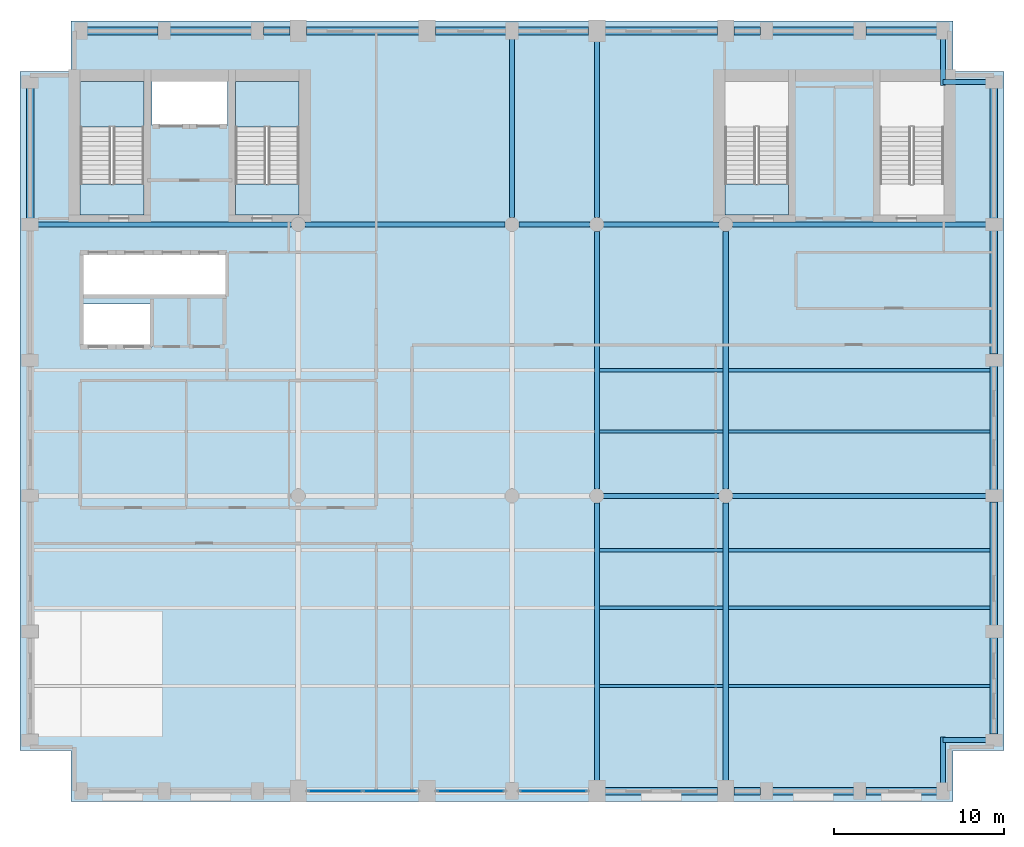
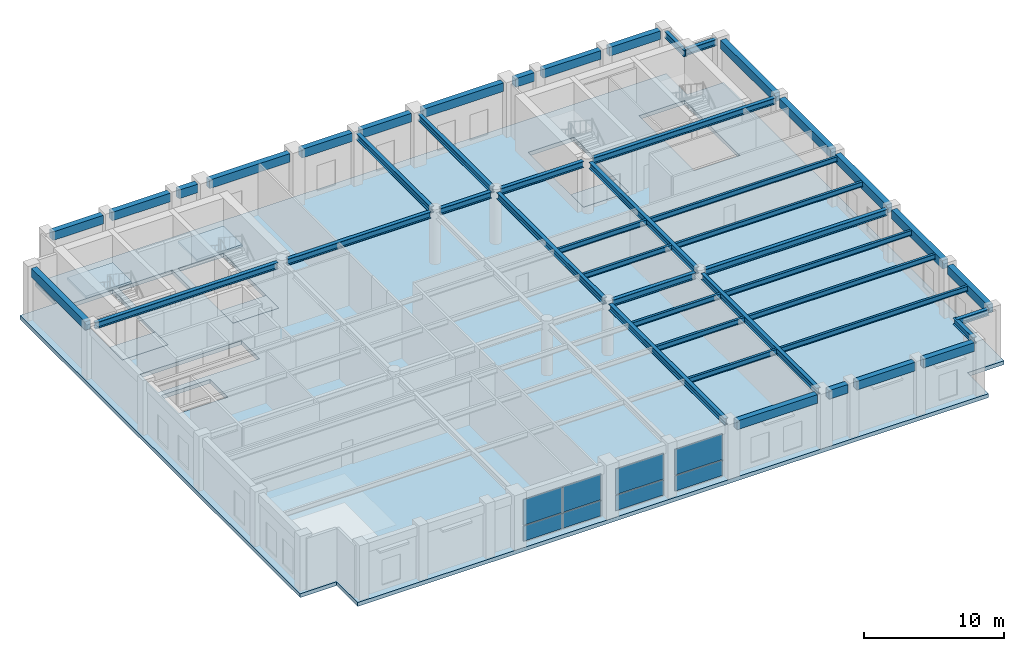
# One storey, part 3 of 10: 47 beams, 8 plates, 6 slabs, 5 elements without a shape of their own.
"""IFC4 building model written with IfcOpenShell, lengths in metres."""

from ifc_helpers import new_model, si_unit, direction, frame, origin, origin_2d, place, context, subcontext, project, spatial, polyline, rectangle, i_section, outline, extrude, material, layer, layer_set, material_profile, profile_set, type_object, element, aggregate, save


model = new_model("IFC4")

# Units and contexts
model_context = context("Model", 3, precision=1e-05, world=origin(), true_north=direction((0.0, 1.0)))
body_context = subcontext(model_context, "Body", "Model", "MODEL_VIEW")
ifc_project = project(units=[si_unit("LENGTHUNIT", "METRE"), si_unit("AREAUNIT", "SQUARE_METRE"), si_unit("VOLUMEUNIT", "CUBIC_METRE"), si_unit("PLANEANGLEUNIT", "RADIAN"), si_unit("MASSUNIT", "GRAM", prefix="KILO")], contexts=[model_context])

# Site, building, storey
site_placement = place(None, origin())
site = spatial("IfcSite", under=ifc_project, at=site_placement, CompositionType="ELEMENT")
building_placement = place(site_placement, origin())
building = spatial("IfcBuilding", under=site, at=building_placement, Name="Sulina Concourse Tower", CompositionType="ELEMENT")
storey_placement = place(building_placement, frame((0.0, 0.0, 243.800048828125)))
storey = spatial("IfcBuildingStorey", under=building, at=storey_placement, Name="L59", CompositionType="ELEMENT", Elevation=243.800048828125)

# Beams
ifc_material_1 = material(Name="Steel S355", Category="steel")
ifc_material_profile_1 = material_profile(ifc_material_1, i_section(OverallWidth=0.18994140625, OverallDepth=0.449951171875, WebThickness=0.009521484375, FlangeThickness=0.0146484375, at=origin_2d()), Name="IPE 450")
ifc_profile_set_1 = profile_set([ifc_material_profile_1], Name="Steel S355")
beam_type_1 = type_object("IfcBeamType", Name="Composite Floor Joist IPE450", PredefinedType="JOIST", material=ifc_profile_set_1)
beam_1_placement = place(storey_placement, frame((34.14990234375, 6.800048828125, 4.324951171875), z_axis=(1.0, 0.0, 0.0), x_axis=(0.0, 1.0, 0.0)))
element("IfcBeam", 1, at=beam_1_placement, inside=storey, type_object=beam_type_1, Name="FJ-J06-4-L59", PredefinedType="JOIST", context=body_context, shape_type="SweptSolid", body=[
    extrude(i_section(OverallWidth=0.18994140625, OverallDepth=0.449951171875, WebThickness=0.009521484375, FlangeThickness=0.0146484375, at=origin_2d()), origin(), (0.0, 0.0, 1.0), 7.300048828125),
])
beam_2_placement = place(storey_placement, frame((41.75, 6.800048828125, 4.324951171875), z_axis=(1.0, 0.0, 0.0), x_axis=(0.0, 1.0, 0.0)))
element("IfcBeam", 2, at=beam_2_placement, inside=storey, type_object=beam_type_1, Name="FJ-J06-5-L59", PredefinedType="JOIST", context=body_context, shape_type="SweptSolid", body=[
    extrude(i_section(OverallWidth=0.18994140625, OverallDepth=0.449951171875, WebThickness=0.009521484375, FlangeThickness=0.0146484375, at=origin_2d()), origin(), (0.0, 0.0, 1.0), 15.425048828125),
])
beam_3_placement = place(storey_placement, frame((34.14990234375, 11.39990234375, 4.324951171875), z_axis=(1.0, 0.0, 0.0), x_axis=(0.0, 1.0, 0.0)))
element("IfcBeam", 3, at=beam_3_placement, inside=storey, type_object=beam_type_1, Name="FJ-J11-4-L59", PredefinedType="JOIST", context=body_context, shape_type="SweptSolid", body=[
    extrude(i_section(OverallWidth=0.18994140625, OverallDepth=0.449951171875, WebThickness=0.009521484375, FlangeThickness=0.0146484375, at=origin_2d()), origin(), (0.0, 0.0, 1.0), 7.300048828125),
])
beam_4_placement = place(storey_placement, frame((41.75, 11.39990234375, 4.324951171875), z_axis=(1.0, 0.0, 0.0), x_axis=(0.0, 1.0, 0.0)))
element("IfcBeam", 4, at=beam_4_placement, inside=storey, type_object=beam_type_1, Name="FJ-J11-5-L59", PredefinedType="JOIST", context=body_context, shape_type="SweptSolid", body=[
    extrude(i_section(OverallWidth=0.18994140625, OverallDepth=0.449951171875, WebThickness=0.009521484375, FlangeThickness=0.0146484375, at=origin_2d()), origin(), (0.0, 0.0, 1.0), 15.425048828125),
])
beam_5_placement = place(storey_placement, frame((34.14990234375, 14.800048828125, 4.324951171875), z_axis=(1.0, 0.0, 0.0), x_axis=(0.0, 1.0, 0.0)))
element("IfcBeam", 5, at=beam_5_placement, inside=storey, type_object=beam_type_1, Name="FJ-J15-4-L59", PredefinedType="JOIST", context=body_context, shape_type="SweptSolid", body=[
    extrude(i_section(OverallWidth=0.18994140625, OverallDepth=0.449951171875, WebThickness=0.009521484375, FlangeThickness=0.0146484375, at=origin_2d()), origin(), (0.0, 0.0, 1.0), 7.300048828125),
])
beam_6_placement = place(storey_placement, frame((41.75, 14.800048828125, 4.324951171875), z_axis=(1.0, 0.0, 0.0), x_axis=(0.0, 1.0, 0.0)))
element("IfcBeam", 6, at=beam_6_placement, inside=storey, type_object=beam_type_1, Name="FJ-J15-5-L59", PredefinedType="JOIST", context=body_context, shape_type="SweptSolid", body=[
    extrude(i_section(OverallWidth=0.18994140625, OverallDepth=0.449951171875, WebThickness=0.009521484375, FlangeThickness=0.0146484375, at=origin_2d()), origin(), (0.0, 0.0, 1.0), 15.425048828125),
])
beam_7_placement = place(storey_placement, frame((34.14990234375, 21.800048828125, 4.324951171875), z_axis=(1.0, 0.0, 0.0), x_axis=(0.0, 1.0, 0.0)))
element("IfcBeam", 7, at=beam_7_placement, inside=storey, type_object=beam_type_1, Name="FJ-J22-4-L59", PredefinedType="JOIST", context=body_context, shape_type="SweptSolid", body=[
    extrude(i_section(OverallWidth=0.18994140625, OverallDepth=0.449951171875, WebThickness=0.009521484375, FlangeThickness=0.0146484375, at=origin_2d()), origin(), (0.0, 0.0, 1.0), 7.300048828125),
])
beam_8_placement = place(storey_placement, frame((41.75, 21.800048828125, 4.324951171875), z_axis=(1.0, 0.0, 0.0), x_axis=(0.0, 1.0, 0.0)))
element("IfcBeam", 8, at=beam_8_placement, inside=storey, type_object=beam_type_1, Name="FJ-J22-5-L59", PredefinedType="JOIST", context=body_context, shape_type="SweptSolid", body=[
    extrude(i_section(OverallWidth=0.18994140625, OverallDepth=0.449951171875, WebThickness=0.009521484375, FlangeThickness=0.0146484375, at=origin_2d()), origin(), (0.0, 0.0, 1.0), 15.425048828125),
])
beam_9_placement = place(storey_placement, frame((34.14990234375, 25.39990234375, 4.324951171875), z_axis=(1.0, 0.0, 0.0), x_axis=(0.0, 1.0, 0.0)))
element("IfcBeam", 9, at=beam_9_placement, inside=storey, type_object=beam_type_1, Name="FJ-J25-4-L59", PredefinedType="JOIST", context=body_context, shape_type="SweptSolid", body=[
    extrude(i_section(OverallWidth=0.18994140625, OverallDepth=0.449951171875, WebThickness=0.009521484375, FlangeThickness=0.0146484375, at=origin_2d()), origin(), (0.0, 0.0, 1.0), 7.300048828125),
])
beam_10_placement = place(storey_placement, frame((41.75, 25.39990234375, 4.324951171875), z_axis=(1.0, 0.0, 0.0), x_axis=(0.0, 1.0, 0.0)))
element("IfcBeam", 10, at=beam_10_placement, inside=storey, type_object=beam_type_1, Name="FJ-J25-5-L59", PredefinedType="JOIST", context=body_context, shape_type="SweptSolid", body=[
    extrude(i_section(OverallWidth=0.18994140625, OverallDepth=0.449951171875, WebThickness=0.009521484375, FlangeThickness=0.0146484375, at=origin_2d()), origin(), (0.0, 0.0, 1.0), 15.425048828125),
])
ifc_material_2 = material(Name="Steel S355", Category="steel")
ifc_material_profile_2 = material_profile(ifc_material_2, i_section(OverallWidth=0.300048828125, OverallDepth=0.550048828125, WebThickness=0.014892578125, FlangeThickness=0.029052734375, at=origin_2d()), Name="HE 550 B")
ifc_profile_set_2 = profile_set([ifc_material_profile_2], Name="Steel S355")
beam_type_2 = type_object("IfcBeamType", Name="Floor Primary Girder Zone 4 HE550B", PredefinedType="BEAM", material=ifc_profile_set_2)
for number, where, z_axis, x_axis, name in (
    (11, (54.39990234375, 3.60009765625, 4.27490234375), (1.0, 0.0, 0.0), (0.0, 1.0, 0.0), "TIE-SE-L59"),
    (12, (54.39990234375, 42.39990234375, 4.27490234375), (1.0, 0.0, 0.0), (0.0, 1.0, 0.0), "TIE-NE-L59"),
):
    element("IfcBeam", number, at=place(storey_placement, frame(where, z_axis=z_axis, x_axis=x_axis)), inside=storey, type_object=beam_type_2, Name=name, PredefinedType="BEAM", context=body_context, shape_type="SweptSolid", body=[
        extrude(i_section(OverallWidth=0.300048828125, OverallDepth=0.550048828125, WebThickness=0.014892578125, FlangeThickness=0.029052734375, at=origin_2d()), origin(), (0.0, 0.0, 1.0), 2.64501953125),
    ])
for number, where, z_axis, x_axis, name in (
    (13, (54.39990234375, 0.955078125, 4.27490234375), (0.0, 1.0, 0.0), (-1.0, 0.0, 0.0), "TIE-SES-L59"),
    (14, (54.39990234375, 42.199951171875, 4.27490234375), (0.0, 1.0, 0.0), (-1.0, 0.0, 0.0), "TIE-NEN-L59"),
):
    element("IfcBeam", number, at=place(storey_placement, frame(where, z_axis=z_axis, x_axis=x_axis)), inside=storey, type_object=beam_type_2, Name=name, PredefinedType="BEAM", context=body_context, shape_type="SweptSolid", body=[
        extrude(i_section(OverallWidth=0.300048828125, OverallDepth=0.550048828125, WebThickness=0.014892578125, FlangeThickness=0.029052734375, at=origin_2d()), origin(), (0.0, 0.0, 1.0), 2.844970703125),
    ])
beam_11_placement = place(storey_placement, frame((34.405029296875, 18.0, 4.27490234375), z_axis=(1.0, 0.0, 0.0), x_axis=(0.0, 1.0, 0.0)))
element("IfcBeam", 15, at=beam_11_placement, inside=storey, type_object=beam_type_2, Name="FG-EW4-L59", PredefinedType="BEAM", context=body_context, shape_type="SweptSolid", body=[
    extrude(i_section(OverallWidth=0.300048828125, OverallDepth=0.550048828125, WebThickness=0.014892578125, FlangeThickness=0.029052734375, at=origin_2d()), origin(), (0.0, 0.0, 1.0), 6.7900390625),
])
for number, where, z_axis, x_axis, name in (
    (16, (42.0048828125, 18.0, 4.27490234375), (1.0, 0.0, 0.0), (0.0, 1.0, 0.0), "FG-EW5-L59"),
    (17, (0.955078125, 34.0, 4.27490234375), (1.0, 0.0, 0.0), (0.0, 1.0, 0.0), "FG-EWN1-L59"),
):
    element("IfcBeam", number, at=place(storey_placement, frame(where, z_axis=z_axis, x_axis=x_axis)), inside=storey, type_object=beam_type_2, Name=name, PredefinedType="BEAM", context=body_context, shape_type="SweptSolid", body=[
        extrude(i_section(OverallWidth=0.300048828125, OverallDepth=0.550048828125, WebThickness=0.014892578125, FlangeThickness=0.029052734375, at=origin_2d()), origin(), (0.0, 0.0, 1.0), 15.0400390625),
    ])
beam_12_placement = place(storey_placement, frame((16.804931640625, 34.0, 4.27490234375), z_axis=(1.0, 0.0, 0.0), x_axis=(0.0, 1.0, 0.0)))
element("IfcBeam", 18, at=beam_12_placement, inside=storey, type_object=beam_type_2, Name="FG-EWN2-L59", PredefinedType="BEAM", context=body_context, shape_type="SweptSolid", body=[
    extrude(i_section(OverallWidth=0.300048828125, OverallDepth=0.550048828125, WebThickness=0.014892578125, FlangeThickness=0.029052734375, at=origin_2d()), origin(), (0.0, 0.0, 1.0), 11.7900390625),
])
beam_13_placement = place(storey_placement, frame((29.405029296875, 34.0, 4.27490234375), z_axis=(1.0, 0.0, 0.0), x_axis=(0.0, 1.0, 0.0)))
element("IfcBeam", 19, at=beam_13_placement, inside=storey, type_object=beam_type_2, Name="FG-EWN3-L59", PredefinedType="BEAM", context=body_context, shape_type="SweptSolid", body=[
    extrude(i_section(OverallWidth=0.300048828125, OverallDepth=0.550048828125, WebThickness=0.014892578125, FlangeThickness=0.029052734375, at=origin_2d()), origin(), (0.0, 0.0, 1.0), 4.18994140625),
])
beam_14_placement = place(storey_placement, frame((34.405029296875, 34.0, 4.27490234375), z_axis=(1.0, 0.0, 0.0), x_axis=(0.0, 1.0, 0.0)))
element("IfcBeam", 20, at=beam_14_placement, inside=storey, type_object=beam_type_2, Name="FG-EWN4-L59", PredefinedType="BEAM", context=body_context, shape_type="SweptSolid", body=[
    extrude(i_section(OverallWidth=0.300048828125, OverallDepth=0.550048828125, WebThickness=0.014892578125, FlangeThickness=0.029052734375, at=origin_2d()), origin(), (0.0, 0.0, 1.0), 6.7900390625),
])
beam_15_placement = place(storey_placement, frame((42.0048828125, 34.0, 4.27490234375), z_axis=(1.0, 0.0, 0.0), x_axis=(0.0, 1.0, 0.0)))
element("IfcBeam", 21, at=beam_15_placement, inside=storey, type_object=beam_type_2, Name="FG-EWN5-L59", PredefinedType="BEAM", context=body_context, shape_type="SweptSolid", body=[
    extrude(i_section(OverallWidth=0.300048828125, OverallDepth=0.550048828125, WebThickness=0.014892578125, FlangeThickness=0.029052734375, at=origin_2d()), origin(), (0.0, 0.0, 1.0), 15.0400390625),
])
beam_16_placement = place(storey_placement, frame((29.0, 34.405029296875, 4.27490234375), z_axis=(0.0, 1.0, 0.0), x_axis=(-1.0, 0.0, 0.0)))
element("IfcBeam", 22, at=beam_16_placement, inside=storey, type_object=beam_type_2, Name="FG-NSC-29-L59", PredefinedType="BEAM", context=body_context, shape_type="SweptSolid", body=[
    extrude(i_section(OverallWidth=0.300048828125, OverallDepth=0.550048828125, WebThickness=0.014892578125, FlangeThickness=0.029052734375, at=origin_2d()), origin(), (0.0, 0.0, 1.0), 10.639892578125),
])
beam_17_placement = place(storey_placement, frame((34.0, 1.080078125, 4.27490234375), z_axis=(0.0, 1.0, 0.0), x_axis=(-1.0, 0.0, 0.0)))
element("IfcBeam", 23, at=beam_17_placement, inside=storey, type_object=beam_type_2, Name="FG-NSA-34-L59", PredefinedType="BEAM", context=body_context, shape_type="SweptSolid", body=[
    extrude(i_section(OverallWidth=0.300048828125, OverallDepth=0.550048828125, WebThickness=0.014892578125, FlangeThickness=0.029052734375, at=origin_2d()), origin(), (0.0, 0.0, 1.0), 16.514892578125),
])
beam_18_placement = place(storey_placement, frame((34.0, 18.405029296875, 4.27490234375), z_axis=(0.0, 1.0, 0.0), x_axis=(-1.0, 0.0, 0.0)))
element("IfcBeam", 24, at=beam_18_placement, inside=storey, type_object=beam_type_2, Name="FG-NSB-34-L59", PredefinedType="BEAM", context=body_context, shape_type="SweptSolid", body=[
    extrude(i_section(OverallWidth=0.300048828125, OverallDepth=0.550048828125, WebThickness=0.014892578125, FlangeThickness=0.029052734375, at=origin_2d()), origin(), (0.0, 0.0, 1.0), 15.18994140625),
])
beam_19_placement = place(storey_placement, frame((34.0, 34.405029296875, 4.27490234375), z_axis=(0.0, 1.0, 0.0), x_axis=(-1.0, 0.0, 0.0)))
element("IfcBeam", 25, at=beam_19_placement, inside=storey, type_object=beam_type_2, Name="FG-NSC-34-L59", PredefinedType="BEAM", context=body_context, shape_type="SweptSolid", body=[
    extrude(i_section(OverallWidth=0.300048828125, OverallDepth=0.550048828125, WebThickness=0.014892578125, FlangeThickness=0.029052734375, at=origin_2d()), origin(), (0.0, 0.0, 1.0), 10.514892578125),
])
beam_20_placement = place(storey_placement, frame((41.60009765625, 1.080078125, 4.27490234375), z_axis=(0.0, 1.0, 0.0), x_axis=(-1.0, 0.0, 0.0)))
element("IfcBeam", 26, at=beam_20_placement, inside=storey, type_object=beam_type_2, Name="FG-NSA-41-L59", PredefinedType="BEAM", context=body_context, shape_type="SweptSolid", body=[
    extrude(i_section(OverallWidth=0.300048828125, OverallDepth=0.550048828125, WebThickness=0.014892578125, FlangeThickness=0.029052734375, at=origin_2d()), origin(), (0.0, 0.0, 1.0), 16.514892578125),
])
beam_21_placement = place(storey_placement, frame((41.60009765625, 18.405029296875, 4.27490234375), z_axis=(0.0, 1.0, 0.0), x_axis=(-1.0, 0.0, 0.0)))
element("IfcBeam", 27, at=beam_21_placement, inside=storey, type_object=beam_type_2, Name="FG-NSB-41-L59", PredefinedType="BEAM", context=body_context, shape_type="SweptSolid", body=[
    extrude(i_section(OverallWidth=0.300048828125, OverallDepth=0.550048828125, WebThickness=0.014892578125, FlangeThickness=0.029052734375, at=origin_2d()), origin(), (0.0, 0.0, 1.0), 15.18994140625),
])
ifc_material_3 = material(Name="Precast concrete C50/60", Category="concrete")
ifc_material_profile_3 = material_profile(ifc_material_3, rectangle(XDim=0.449951171875, YDim=0.75, at=origin_2d()), Name="RC 450x750")
ifc_profile_set_3 = profile_set([ifc_material_profile_3], Name="Precast concrete C50/60")
beam_type_3 = type_object("IfcBeamType", Name="Upper Precast Spandrel Edge Beam 450x750", PredefinedType="BEAM", material=ifc_profile_set_3)
beam_22_placement = place(storey_placement, frame((34.47998046875, 0.60009765625, 4.175048828125), z_axis=(1.0, 0.0, 0.0), x_axis=(0.0, 1.0, 0.0)))
element("IfcBeam", 28, at=beam_22_placement, inside=storey, type_object=beam_type_3, Name="SP-S7-L59", PredefinedType="BEAM", context=body_context, shape_type="SweptSolid", body=[
    extrude(rectangle(XDim=0.449951171875, YDim=0.75, at=origin_2d()), origin(), (0.0, 0.0, 1.0), 6.64013671875),
])
beam_23_placement = place(storey_placement, frame((42.080078125, 0.60009765625, 4.175048828125), z_axis=(1.0, 0.0, 0.0), x_axis=(0.0, 1.0, 0.0)))
element("IfcBeam", 29, at=beam_23_placement, inside=storey, type_object=beam_type_3, Name="SP-S8-L59", PredefinedType="BEAM", context=body_context, shape_type="SweptSolid", body=[
    extrude(rectangle(XDim=0.449951171875, YDim=0.75, at=origin_2d()), origin(), (0.0, 0.0, 1.0), 1.56494140625),
])
beam_24_placement = place(storey_placement, frame((44.35498046875, 0.60009765625, 4.175048828125), z_axis=(1.0, 0.0, 0.0), x_axis=(0.0, 1.0, 0.0)))
element("IfcBeam", 30, at=beam_24_placement, inside=storey, type_object=beam_type_3, Name="SP-S9-L59", PredefinedType="BEAM", context=body_context, shape_type="SweptSolid", body=[
    extrude(rectangle(XDim=0.449951171875, YDim=0.75, at=origin_2d()), origin(), (0.0, 0.0, 1.0), 4.7900390625),
])
for number, where, z_axis, x_axis, name in (
    (31, (49.85498046875, 0.60009765625, 4.175048828125), (1.0, 0.0, 0.0), (0.0, 1.0, 0.0), "SP-S10-L59"),
    (32, (3.955078125, 45.39990234375, 4.175048828125), (1.0, 0.0, 0.0), (0.0, 1.0, 0.0), "SP-N1-L59"),
):
    element("IfcBeam", number, at=place(storey_placement, frame(where, z_axis=z_axis, x_axis=x_axis)), inside=storey, type_object=beam_type_3, Name=name, PredefinedType="BEAM", context=body_context, shape_type="SweptSolid", body=[
        extrude(rectangle(XDim=0.449951171875, YDim=0.75, at=origin_2d()), origin(), (0.0, 0.0, 1.0), 4.18994140625),
    ])
beam_25_placement = place(storey_placement, frame((8.85498046875, 45.39990234375, 4.175048828125), z_axis=(1.0, 0.0, 0.0), x_axis=(0.0, 1.0, 0.0)))
element("IfcBeam", 33, at=beam_25_placement, inside=storey, type_object=beam_type_3, Name="SP-N2-L59", PredefinedType="BEAM", context=body_context, shape_type="SweptSolid", body=[
    extrude(rectangle(XDim=0.449951171875, YDim=0.75, at=origin_2d()), origin(), (0.0, 0.0, 1.0), 4.7900390625),
])
beam_26_placement = place(storey_placement, frame((14.35498046875, 45.39990234375, 4.175048828125), z_axis=(1.0, 0.0, 0.0), x_axis=(0.0, 1.0, 0.0)))
element("IfcBeam", 34, at=beam_26_placement, inside=storey, type_object=beam_type_3, Name="SP-N3-L59", PredefinedType="BEAM", context=body_context, shape_type="SweptSolid", body=[
    extrude(rectangle(XDim=0.449951171875, YDim=0.75, at=origin_2d()), origin(), (0.0, 0.0, 1.0), 1.56494140625),
])
beam_27_placement = place(storey_placement, frame((16.8798828125, 45.39990234375, 4.175048828125), z_axis=(1.0, 0.0, 0.0), x_axis=(0.0, 1.0, 0.0)))
element("IfcBeam", 35, at=beam_27_placement, inside=storey, type_object=beam_type_3, Name="SP-N4-L59", PredefinedType="BEAM", context=body_context, shape_type="SweptSolid", body=[
    extrude(rectangle(XDim=0.449951171875, YDim=0.75, at=origin_2d()), origin(), (0.0, 0.0, 1.0), 6.64013671875),
])
for number, where, z_axis, x_axis, name in (
    (36, (24.47998046875, 45.39990234375, 4.175048828125), (1.0, 0.0, 0.0), (0.0, 1.0, 0.0), "SP-N5-L59"),
    (37, (29.35498046875, 45.39990234375, 4.175048828125), (1.0, 0.0, 0.0), (0.0, 1.0, 0.0), "SP-N6-L59"),
):
    element("IfcBeam", number, at=place(storey_placement, frame(where, z_axis=z_axis, x_axis=x_axis)), inside=storey, type_object=beam_type_3, Name=name, PredefinedType="BEAM", context=body_context, shape_type="SweptSolid", body=[
        extrude(rectangle(XDim=0.449951171875, YDim=0.75, at=origin_2d()), origin(), (0.0, 0.0, 1.0), 4.1650390625),
    ])
beam_28_placement = place(storey_placement, frame((34.47998046875, 45.39990234375, 4.175048828125), z_axis=(1.0, 0.0, 0.0), x_axis=(0.0, 1.0, 0.0)))
element("IfcBeam", 38, at=beam_28_placement, inside=storey, type_object=beam_type_3, Name="SP-N7-L59", PredefinedType="BEAM", context=body_context, shape_type="SweptSolid", body=[
    extrude(rectangle(XDim=0.449951171875, YDim=0.75, at=origin_2d()), origin(), (0.0, 0.0, 1.0), 6.64013671875),
])
beam_29_placement = place(storey_placement, frame((42.080078125, 45.39990234375, 4.175048828125), z_axis=(1.0, 0.0, 0.0), x_axis=(0.0, 1.0, 0.0)))
element("IfcBeam", 39, at=beam_29_placement, inside=storey, type_object=beam_type_3, Name="SP-N8-L59", PredefinedType="BEAM", context=body_context, shape_type="SweptSolid", body=[
    extrude(rectangle(XDim=0.449951171875, YDim=0.75, at=origin_2d()), origin(), (0.0, 0.0, 1.0), 1.56494140625),
])
beam_30_placement = place(storey_placement, frame((44.35498046875, 45.39990234375, 4.175048828125), z_axis=(1.0, 0.0, 0.0), x_axis=(0.0, 1.0, 0.0)))
element("IfcBeam", 40, at=beam_30_placement, inside=storey, type_object=beam_type_3, Name="SP-N9-L59", PredefinedType="BEAM", context=body_context, shape_type="SweptSolid", body=[
    extrude(rectangle(XDim=0.449951171875, YDim=0.75, at=origin_2d()), origin(), (0.0, 0.0, 1.0), 4.7900390625),
])
beam_31_placement = place(storey_placement, frame((49.85498046875, 45.39990234375, 4.175048828125), z_axis=(1.0, 0.0, 0.0), x_axis=(0.0, 1.0, 0.0)))
element("IfcBeam", 41, at=beam_31_placement, inside=storey, type_object=beam_type_3, Name="SP-N10-L59", PredefinedType="BEAM", context=body_context, shape_type="SweptSolid", body=[
    extrude(rectangle(XDim=0.449951171875, YDim=0.75, at=origin_2d()), origin(), (0.0, 0.0, 1.0), 4.18994140625),
])
beam_32_placement = place(storey_placement, frame((0.60009765625, 34.35498046875, 4.175048828125), z_axis=(0.0, 1.0, 0.0), x_axis=(-1.0, 0.0, 0.0)))
element("IfcBeam", 42, at=beam_32_placement, inside=storey, type_object=beam_type_3, Name="SP-W5-L59", PredefinedType="BEAM", context=body_context, shape_type="SweptSolid", body=[
    extrude(rectangle(XDim=0.449951171875, YDim=0.75, at=origin_2d()), origin(), (0.0, 0.0, 1.0), 7.68994140625),
])
beam_33_placement = place(storey_placement, frame((57.39990234375, 3.955078125, 4.175048828125), z_axis=(0.0, 1.0, 0.0), x_axis=(-1.0, 0.0, 0.0)))
element("IfcBeam", 43, at=beam_33_placement, inside=storey, type_object=beam_type_3, Name="SP-E1-L59", PredefinedType="BEAM", context=body_context, shape_type="SweptSolid", body=[
    extrude(rectangle(XDim=0.449951171875, YDim=0.75, at=origin_2d()), origin(), (0.0, 0.0, 1.0), 5.68994140625),
])
for number, where, z_axis, x_axis, name in (
    (44, (57.39990234375, 10.35498046875, 4.175048828125), (0.0, 1.0, 0.0), (-1.0, 0.0, 0.0), "SP-E2-L59"),
    (45, (57.39990234375, 18.35498046875, 4.175048828125), (0.0, 1.0, 0.0), (-1.0, 0.0, 0.0), "SP-E3-L59"),
    (46, (57.39990234375, 26.35498046875, 4.175048828125), (0.0, 1.0, 0.0), (-1.0, 0.0, 0.0), "SP-E4-L59"),
):
    element("IfcBeam", number, at=place(storey_placement, frame(where, z_axis=z_axis, x_axis=x_axis)), inside=storey, type_object=beam_type_3, Name=name, PredefinedType="BEAM", context=body_context, shape_type="SweptSolid", body=[
        extrude(rectangle(XDim=0.449951171875, YDim=0.75, at=origin_2d()), origin(), (0.0, 0.0, 1.0), 7.2900390625),
    ])
beam_34_placement = place(storey_placement, frame((57.39990234375, 34.35498046875, 4.175048828125), z_axis=(0.0, 1.0, 0.0), x_axis=(-1.0, 0.0, 0.0)))
element("IfcBeam", 47, at=beam_34_placement, inside=storey, type_object=beam_type_3, Name="SP-E5-L59", PredefinedType="BEAM", context=body_context, shape_type="SweptSolid", body=[
    extrude(rectangle(XDim=0.449951171875, YDim=0.75, at=origin_2d()), origin(), (0.0, 0.0, 1.0), 7.68994140625),
])

# Slabs
ifc_material_4 = material(Name="Concrete C60/75", Category="concrete")
ifc_layer_1 = layer(ifc_material_4, 0.340087890625)
ifc_layer_set_1 = layer_set([ifc_layer_1], Name="Concrete C60/75")
slab_type_1 = type_object("IfcSlabType", Name="Mechanical Plant & Sky-Lobby Slab 340mm", PredefinedType="FLOOR", material=ifc_layer_set_1)
slab_1_placement = place(storey_placement, frame((0.0, 0.0, -0.340087890625)))
element("IfcSlab", 48, at=slab_1_placement, inside=storey, type_object=slab_type_1, Name="L59 structural floor slab", PredefinedType="FLOOR", context=body_context, shape_type="SweptSolid", body=[
    extrude(outline(polyline([(3.0, 0.0), (55.0, 0.0), (55.0, 3.0), (58.0, 3.0), (58.0, 43.0), (55.0, 43.0), (55.0, 46.0), (3.0, 46.0), (3.0, 43.0), (0.0, 43.0), (0.0, 3.0), (3.0, 3.0), (3.0, 0.0)]), holes=[polyline([(7.31005859375, 34.550048828125), (7.31005859375, 42.429931640625), (3.550048828125, 42.429931640625), (3.550048828125, 34.550048828125), (7.31005859375, 34.550048828125)]), polyline([(16.449951171875, 34.550048828125), (16.449951171875, 42.429931640625), (12.68994140625, 42.429931640625), (12.68994140625, 34.550048828125), (16.449951171875, 34.550048828125)]), polyline([(45.31005859375, 34.550048828125), (45.31005859375, 42.429931640625), (41.550048828125, 42.429931640625), (41.550048828125, 34.550048828125), (45.31005859375, 34.550048828125)]), polyline([(54.449951171875, 34.550048828125), (54.449951171875, 42.429931640625), (50.68994140625, 42.429931640625), (50.68994140625, 34.550048828125), (54.449951171875, 34.550048828125)]), polyline([(7.780029296875, 39.830078125), (12.219970703125, 39.830078125), (12.219970703125, 42.449951171875), (7.780029296875, 42.449951171875), (7.780029296875, 39.830078125)]), polyline([(3.739990234375, 26.780029296875), (7.77001953125, 26.780029296875), (7.77001953125, 29.320068359375), (3.739990234375, 29.320068359375), (3.739990234375, 26.780029296875)]), polyline([(3.739990234375, 29.780029296875), (12.10009765625, 29.780029296875), (12.10009765625, 32.3701171875), (3.739990234375, 32.3701171875), (3.739990234375, 29.780029296875)])]), origin(), (0.0, 0.0, 1.0), 0.340087890625),
])
ifc_material_5 = material(Name="Concrete C50/60", Category="concrete")
ifc_layer_2 = layer(ifc_material_5, 0.199951171875)
ifc_layer_set_2 = layer_set([ifc_layer_2], Name="Concrete C50/60")
slab_type_2 = type_object("IfcSlabType", Name="Primary Core Stair Landing Slab 200mm", PredefinedType="LANDING", material=ifc_layer_set_2)
slab_2_placement = place(storey_placement, frame((0.0, 0.0, -0.199951171875)))
element("IfcSlab", 49, at=slab_2_placement, inside=storey, type_object=slab_type_2, Name="L59 ST-1 floor landing slab", PredefinedType="LANDING", context=body_context, shape_type="SweptSolid", body=[
    extrude(outline(polyline([(7.31005859375, 34.550048828125), (7.31005859375, 36.375), (3.550048828125, 36.375), (3.550048828125, 34.550048828125), (7.31005859375, 34.550048828125)])), origin(), (0.0, 0.0, 1.0), 0.199951171875),
])
slab_3_placement = place(storey_placement, frame((0.0, 0.0, -0.199951171875)))
element("IfcSlab", 50, at=slab_3_placement, inside=storey, type_object=slab_type_2, Name="L59 ST-2 floor landing slab", PredefinedType="LANDING", context=body_context, shape_type="SweptSolid", body=[
    extrude(outline(polyline([(16.449951171875, 34.550048828125), (16.449951171875, 36.375), (12.68994140625, 36.375), (12.68994140625, 34.550048828125), (16.449951171875, 34.550048828125)])), origin(), (0.0, 0.0, 1.0), 0.199951171875),
])
slab_4_placement = place(storey_placement, frame((0.0, 0.0, -0.199951171875)))
element("IfcSlab", 51, at=slab_4_placement, inside=storey, type_object=slab_type_2, Name="L59 ST-3 floor landing slab", PredefinedType="LANDING", context=body_context, shape_type="SweptSolid", body=[
    extrude(outline(polyline([(45.31005859375, 34.550048828125), (45.31005859375, 36.375), (41.550048828125, 36.375), (41.550048828125, 34.550048828125), (45.31005859375, 34.550048828125)])), origin(), (0.0, 0.0, 1.0), 0.199951171875),
])

# Stair, slab
ifc_material_6 = material(Name="Concrete C50/60", Category="concrete")
stair_type = type_object("IfcStairType", Name="Primary Core Dog-Leg Exit Stair 1800mm", PredefinedType="HALF_TURN_STAIR", material=ifc_material_6)
stair_1_placement = place(storey_placement, origin())
stair_1 = element("IfcStair", 52, at=stair_1_placement, inside=storey, type_object=stair_type, Name="L59 ST-1", PredefinedType="HALF_TURN_STAIR")
slab_5_placement = place(storey_placement, frame((0.0, 0.0, 2.199951171875)))
slab_5 = element("IfcSlab", 53, at=slab_5_placement, type_object=slab_type_2, Name="ST-1 landing 1", PredefinedType="LANDING", context=body_context, shape_type="SweptSolid", body=[
    extrude(outline(polyline([(7.304931640625, 39.735107421875), (7.304931640625, 42.425048828125), (3.554931640625, 42.425048828125), (3.554931640625, 39.735107421875), (7.304931640625, 39.735107421875)])), origin(), (0.0, 0.0, 1.0), 0.199951171875),
])
aggregate(stair_1, [slab_5])

stair_2_placement = place(storey_placement, origin())
stair_2 = element("IfcStair", 54, at=stair_2_placement, inside=storey, type_object=stair_type, Name="L59 ST-2", PredefinedType="HALF_TURN_STAIR")
slab_6_placement = place(storey_placement, frame((0.0, 0.0, 2.199951171875)))
slab_6 = element("IfcSlab", 55, at=slab_6_placement, type_object=slab_type_2, Name="ST-2 landing 1", PredefinedType="LANDING", context=body_context, shape_type="SweptSolid", body=[
    extrude(outline(polyline([(16.445068359375, 39.735107421875), (16.445068359375, 42.425048828125), (12.695068359375, 42.425048828125), (12.695068359375, 39.735107421875), (16.445068359375, 39.735107421875)])), origin(), (0.0, 0.0, 1.0), 0.199951171875),
])
aggregate(stair_2, [slab_6])

# Curtain wall, plates
ifc_material_7 = material(Name="Anodised bronze aluminium", Category="aluminium")
ifc_layer_3 = layer(ifc_material_7, 0.260009765625)
ifc_layer_set_3 = layer_set([ifc_layer_3], Name="Anodised bronze aluminium")
curtain_wall_type = type_object("IfcCurtainWallType", Name="Sky-Lobby Panorama Curtain Wall System", PredefinedType="NOTDEFINED", material=ifc_layer_set_3)
curtain_wall_1_placement = place(storey_placement, origin())
curtain_wall_1 = element("IfcCurtainWall", 56, at=curtain_wall_1_placement, inside=storey, type_object=curtain_wall_type, Name="L59 glazed curtain wall S4", PredefinedType="NOTDEFINED")
ifc_material_8 = material(Name="Acoustic laminated sky-lobby glazing", Category="glass")
ifc_layer_4 = layer(ifc_material_8, 0.0400390625)
ifc_layer_set_4 = layer_set([ifc_layer_4], Name="Acoustic laminated sky-lobby glazing")
plate_type = type_object("IfcPlateType", Name="Sky-Lobby Panorama Curtain Wall System Glazed Panel 40mm", PredefinedType="CURTAIN_PANEL", material=ifc_layer_set_4)
plate_1_placement = place(storey_placement, frame((21.820068359375, 0.60009765625, 0.080078125), z_axis=(0.0, 0.0, 1.0), x_axis=(-1.0, 0.0, 0.0)))
plate_1 = element("IfcPlate", 57, at=plate_1_placement, type_object=plate_type, Name="CW-03 panel 1.1", PredefinedType="CURTAIN_PANEL", context=body_context, shape_type="SweptSolid", body=[
    extrude(rectangle(XDim=3.159912109375, YDim=0.0400390625, at=origin_2d()), origin(), (0.0, 0.0, 1.0), 1.323974609375),
])
plate_2_placement = place(storey_placement, frame((21.820068359375, 0.60009765625, 1.48388671875), z_axis=(0.0, 0.0, 1.0), x_axis=(-1.0, 0.0, 0.0)))
plate_2 = element("IfcPlate", 58, at=plate_2_placement, type_object=plate_type, Name="CW-03 panel 1.2", PredefinedType="CURTAIN_PANEL", context=body_context, shape_type="SweptSolid", body=[
    extrude(rectangle(XDim=3.159912109375, YDim=0.0400390625, at=origin_2d()), origin(), (0.0, 0.0, 1.0), 2.236083984375),
])
plate_3_placement = place(storey_placement, frame((18.580078125, 0.60009765625, 0.080078125), z_axis=(0.0, 0.0, 1.0), x_axis=(-1.0, 0.0, 0.0)))
plate_3 = element("IfcPlate", 59, at=plate_3_placement, type_object=plate_type, Name="CW-03 panel 2.1", PredefinedType="CURTAIN_PANEL", context=body_context, shape_type="SweptSolid", body=[
    extrude(rectangle(XDim=3.159912109375, YDim=0.0400390625, at=origin_2d()), origin(), (0.0, 0.0, 1.0), 1.323974609375),
])
plate_4_placement = place(storey_placement, frame((18.580078125, 0.60009765625, 1.48388671875), z_axis=(0.0, 0.0, 1.0), x_axis=(-1.0, 0.0, 0.0)))
plate_4 = element("IfcPlate", 60, at=plate_4_placement, type_object=plate_type, Name="CW-03 panel 2.2", PredefinedType="CURTAIN_PANEL", context=body_context, shape_type="SweptSolid", body=[
    extrude(rectangle(XDim=3.159912109375, YDim=0.0400390625, at=origin_2d()), origin(), (0.0, 0.0, 1.0), 2.236083984375),
])
aggregate(curtain_wall_1, [plate_1, plate_2, plate_3, plate_4])

curtain_wall_2_placement = place(storey_placement, origin())
curtain_wall_2 = element("IfcCurtainWall", 61, at=curtain_wall_2_placement, inside=storey, type_object=curtain_wall_type, Name="L59 glazed curtain wall S5", PredefinedType="NOTDEFINED")
plate_5_placement = place(storey_placement, frame((26.5625, 0.60009765625, 0.080078125), z_axis=(0.0, 0.0, 1.0), x_axis=(-1.0, 0.0, 0.0)))
plate_5 = element("IfcPlate", 62, at=plate_5_placement, type_object=plate_type, Name="CW-03 panel 1.1", PredefinedType="CURTAIN_PANEL", context=body_context, shape_type="SweptSolid", body=[
    extrude(rectangle(XDim=3.925048828125, YDim=0.0400390625, at=origin_2d()), origin(), (0.0, 0.0, 1.0), 1.323974609375),
])
plate_6_placement = place(storey_placement, frame((26.5625, 0.60009765625, 1.48388671875), z_axis=(0.0, 0.0, 1.0), x_axis=(-1.0, 0.0, 0.0)))
plate_6 = element("IfcPlate", 63, at=plate_6_placement, type_object=plate_type, Name="CW-03 panel 1.2", PredefinedType="CURTAIN_PANEL", context=body_context, shape_type="SweptSolid", body=[
    extrude(rectangle(XDim=3.925048828125, YDim=0.0400390625, at=origin_2d()), origin(), (0.0, 0.0, 1.0), 2.236083984375),
])
aggregate(curtain_wall_2, [plate_5, plate_6])

curtain_wall_3_placement = place(storey_placement, origin())
curtain_wall_3 = element("IfcCurtainWall", 64, at=curtain_wall_3_placement, inside=storey, type_object=curtain_wall_type, Name="L59 glazed curtain wall S6", PredefinedType="NOTDEFINED")
plate_7_placement = place(storey_placement, frame((31.4375, 0.60009765625, 0.080078125), z_axis=(0.0, 0.0, 1.0), x_axis=(-1.0, 0.0, 0.0)))
plate_7 = element("IfcPlate", 65, at=plate_7_placement, type_object=plate_type, Name="CW-03 panel 1.1", PredefinedType="CURTAIN_PANEL", context=body_context, shape_type="SweptSolid", body=[
    extrude(rectangle(XDim=3.925048828125, YDim=0.0400390625, at=origin_2d()), origin(), (0.0, 0.0, 1.0), 1.323974609375),
])
plate_8_placement = place(storey_placement, frame((31.4375, 0.60009765625, 1.48388671875), z_axis=(0.0, 0.0, 1.0), x_axis=(-1.0, 0.0, 0.0)))
plate_8 = element("IfcPlate", 66, at=plate_8_placement, type_object=plate_type, Name="CW-03 panel 1.2", PredefinedType="CURTAIN_PANEL", context=body_context, shape_type="SweptSolid", body=[
    extrude(rectangle(XDim=3.925048828125, YDim=0.0400390625, at=origin_2d()), origin(), (0.0, 0.0, 1.0), 2.236083984375),
])
aggregate(curtain_wall_3, [plate_7, plate_8])

save(model, "model.ifc")
